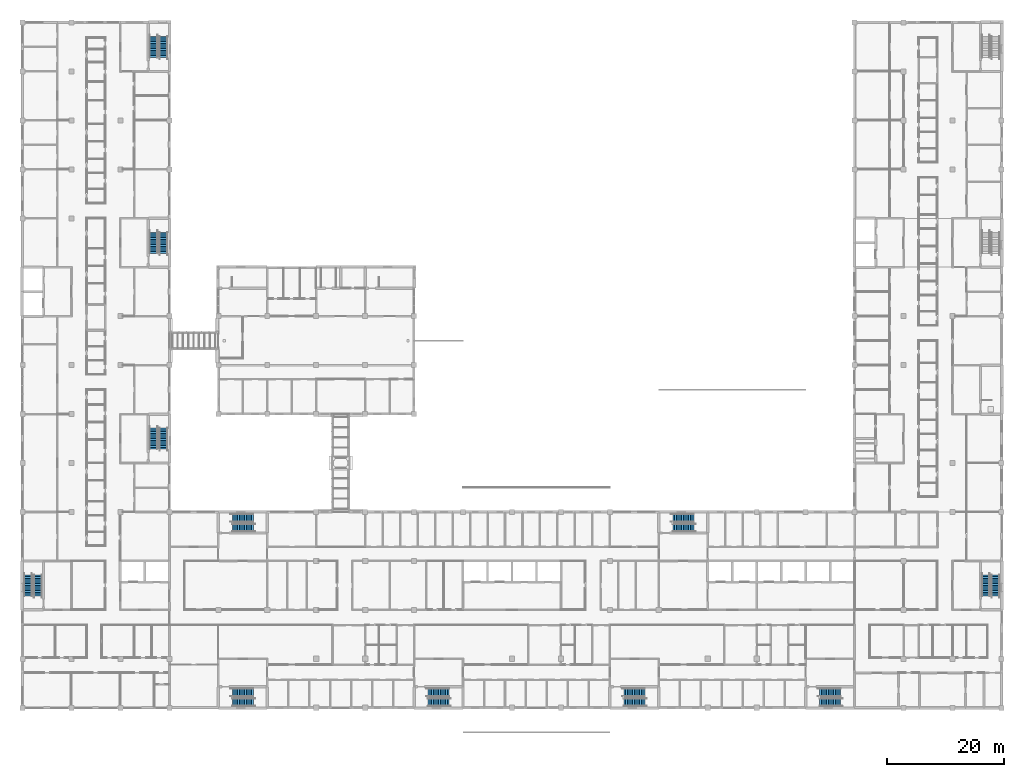
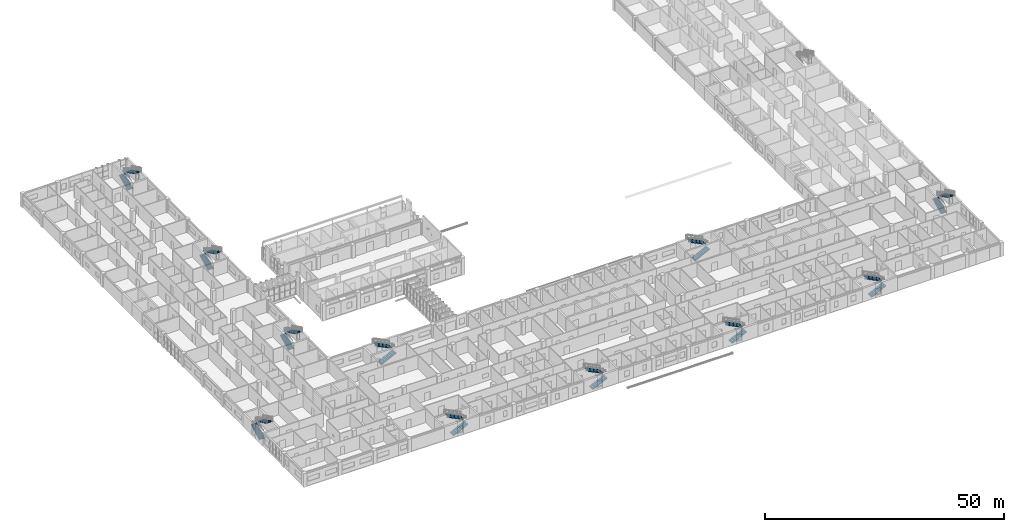
# One storey, part 79 of 94: 22 stair flights, 11 elements without a shape of their own.
"""IFC4 building model written with IfcOpenShell, lengths in metres."""

import ifcopenshell
import ifcopenshell.guid

model = None  # the IFC model being written
_history = None  # IfcOwnerHistory: only IFC2X3 demands one
_inside = {}  # id of a spatial element -> (the spatial element, [elements in it])
_under = {}  # id of a project, library or spatial element -> (it, [spatial elements below it])
_declared = {}  # id of a project -> (the project, [libraries it declares])
_typed = {}  # id of a type object -> (the type object, [elements of that type])
_made_of = {}  # id of a material, layer set ... -> (it, [elements and type objects made of it])


def new_model(schema):
    """Start an empty IFC model of exactly this schema.

    Asked for "IFC4X3", IfcOpenShell would pick the latest addendum, in which some entities
    have other attributes; the version numbers below select the first issue.
    IFC2X3 requires an IfcOwnerHistory on every rooted entity: one is made here for all.
    """
    global model, _history
    if schema == "IFC4X3":
        model = ifcopenshell.file(schema_version=(4, 3, 0, 0))
    else:
        model = ifcopenshell.file(schema=schema)
    _inside.clear()
    _under.clear()
    _declared.clear()
    _typed.clear()
    _made_of.clear()
    _history = None
    if model.schema == "IFC2X3":
        org = make("IfcOrganization", Name="unknown")
        user = make(
            "IfcPersonAndOrganization",
            ThePerson=make("IfcPerson", FamilyName="unknown"),
            TheOrganization=org,
        )
        app = make(
            "IfcApplication",
            ApplicationDeveloper=org,
            Version="unknown",
            ApplicationFullName="unknown",
            ApplicationIdentifier="unknown",
        )
        _history = make(
            "IfcOwnerHistory",
            OwningUser=user,
            OwningApplication=app,
            ChangeAction="ADDED",
            CreationDate=0,
        )
    return model


def make(cls, **values):
    """One entity of the class cls with the attributes given. An attribute that is None is left unset."""
    return model.create_entity(
        cls, **{name: value for name, value in values.items() if value is not None}
    )


def rooted(cls, **values):
    """An entity with a GlobalId (a new one), such as an element, a storey or a relation."""
    return make(cls, GlobalId=ifcopenshell.guid.new(), OwnerHistory=_history, **values)


def si_unit(unit_type, name, prefix=None):
    """IfcSIUnit, for example si_unit("LENGTHUNIT", "METRE", prefix="MILLI")."""
    return make("IfcSIUnit", UnitType=unit_type, Prefix=prefix, Name=name)


def assignment(units):
    """IfcUnitAssignment: the units of a project."""
    return None if units is None else make("IfcUnitAssignment", Units=units)


def point(xyz):
    """IfcCartesianPoint."""
    return None if xyz is None else make("IfcCartesianPoint", Coordinates=xyz)


def direction(xyz):
    """IfcDirection."""
    return None if xyz is None else make("IfcDirection", DirectionRatios=xyz)


def frame(location, z_axis=None, x_axis=None):
    """IfcAxis2Placement3D, a coordinate frame: its origin and axes. An axis left out is left unset."""
    return make(
        "IfcAxis2Placement3D",
        Location=point(location),
        Axis=direction(z_axis),
        RefDirection=direction(x_axis),
    )


def origin():
    """The frame at (0, 0, 0) with its axes left unset."""
    return frame((0.0, 0.0, 0.0))


def place(relative_to, where):
    """IfcLocalPlacement: puts the frame where relative to a parent placement (None: the world)."""
    return make(
        "IfcLocalPlacement", PlacementRelTo=relative_to, RelativePlacement=where
    )


def context(
    kind, dimensions, precision=None, world=None, true_north=None, identifier=None
):
    """IfcGeometricRepresentationContext, for example the 3D "Model" context."""
    return make(
        "IfcGeometricRepresentationContext",
        ContextIdentifier=identifier,
        ContextType=kind,
        CoordinateSpaceDimension=dimensions,
        Precision=precision,
        WorldCoordinateSystem=world,
        TrueNorth=true_north,
    )


def subcontext(parent, identifier, kind, view, scale=None):
    """IfcGeometricRepresentationSubContext, for example "Body" below "Model"."""
    return make(
        "IfcGeometricRepresentationSubContext",
        ContextIdentifier=identifier,
        ContextType=kind,
        ParentContext=parent,
        TargetScale=scale,
        TargetView=view,
    )


def project(units=None, contexts=None):
    """IfcProject with its units and contexts."""
    return rooted(
        "IfcProject",
        Name="project",
        RepresentationContexts=contexts,
        UnitsInContext=assignment(units),
    )


def spatial(cls, under=None, at=None, **own):
    """A site, building, storey or space (cls), placed at a placement, below another one or the project."""
    s = rooted(cls, ObjectPlacement=at, **own)
    if under is not None:
        _under.setdefault(under.id(), (under, []))[1].append(s)
    return s


def polyline(points):
    """IfcPolyline through the points."""
    return make("IfcPolyline", Points=[point(p) for p in points])


def outline(outer, holes=None, kind="AREA"):
    """IfcArbitraryClosedProfileDef: a profile drawn as a closed curve; with holes, ...WithVoids."""
    if holes is None:
        return make("IfcArbitraryClosedProfileDef", ProfileType=kind, OuterCurve=outer)
    return make(
        "IfcArbitraryProfileDefWithVoids",
        ProfileType=kind,
        OuterCurve=outer,
        InnerCurves=holes,
    )


def extrude(swept, where, along, depth):
    """IfcExtrudedAreaSolid: the profile swept, set in the frame where, extruded along a direction by depth."""
    return make(
        "IfcExtrudedAreaSolid",
        SweptArea=swept,
        Position=where,
        ExtrudedDirection=direction(along),
        Depth=depth,
    )


def shape(context_of_items, identifier, shape_type, items):
    """IfcShapeRepresentation: the items that make up one representation, for example the "Body"."""
    return make(
        "IfcShapeRepresentation",
        ContextOfItems=context_of_items,
        RepresentationIdentifier=identifier,
        RepresentationType=shape_type,
        Items=items,
    )


def material(Name=None, Category=None):
    """IfcMaterial."""
    return make("IfcMaterial", Name=Name, Category=Category)


def made_of(thing, what):
    """Note that an element or type object is made of a material, layer set ...; save() writes the relation."""
    if what is not None:
        _made_of.setdefault(what.id(), (what, []))[1].append(thing)
    return thing


def type_object(cls, material=None, **own):
    """A type object (cls), such as IfcWallType, which elements share."""
    return made_of(rooted(cls, **own), material)


def element(
    cls,
    number,
    at=None,
    inside=None,
    cuts=None,
    type_object=None,
    material=None,
    context=None,
    identifier="Body",
    shape_type=None,
    held_by="IfcProductDefinitionShape",
    body=None,
    shapes=None,
    **own,
):
    """One element of the class cls, such as IfcWall. Its Tag is "e" and its number.

    at: its placement. inside: the storey or other place that contains it. cuts: it is an
    opening in that element (IfcRelVoidsElement). A single representation is given by context,
    identifier, shape_type and body (its items); several are given by shapes. held_by: the class
    of the entity that holds the representations. save() writes the other relations.
    """
    e = rooted(cls, Tag="e%d" % number, ObjectPlacement=at, **own)
    if body is not None:
        shapes = [shape(context, identifier, shape_type, body)]
    if shapes is not None:
        e.Representation = make(held_by, Representations=shapes)
    if inside is not None:
        _inside.setdefault(inside.id(), (inside, []))[1].append(e)
    if cuts is not None:
        rooted(
            "IfcRelVoidsElement", RelatingBuildingElement=cuts, RelatedOpeningElement=e
        )
    if type_object is not None:
        _typed.setdefault(type_object.id(), (type_object, []))[1].append(e)
    return made_of(e, material)


def aggregate(whole, parts):
    """IfcRelAggregates: a whole, such as a stair, and the parts it consists of."""
    return rooted("IfcRelAggregates", RelatingObject=whole, RelatedObjects=parts)


def save(model, path):
    """Write the relations noted so far, then the file.

    IfcRelAggregates (storeys below a building ...), IfcRelContainedInSpatialStructure (elements
    in a storey), IfcRelDefinesByType, IfcRelAssociatesMaterial and IfcRelDeclares: one each for
    every whole, place, type object, material and project.
    """
    for whole, parts in _under.values():
        aggregate(whole, parts)
    for where, things in _inside.values():
        rooted(
            "IfcRelContainedInSpatialStructure",
            RelatedElements=things,
            RelatingStructure=where,
        )
    for kind, things in _typed.values():
        rooted("IfcRelDefinesByType", RelatedObjects=things, RelatingType=kind)
    for what, things in _made_of.values():
        rooted("IfcRelAssociatesMaterial", RelatedObjects=things, RelatingMaterial=what)
    for by, libraries in _declared.values():
        rooted("IfcRelDeclares", RelatingContext=by, RelatedDefinitions=libraries)
    model.write(path)


model = new_model("IFC4")

# Units and contexts
model_context = context("Model", 3, precision=1e-05, world=origin(), true_north=direction((0.0, 1.0)))
body_context = subcontext(model_context, "Body", "Model", "MODEL_VIEW")
ifc_project = project(units=[si_unit("LENGTHUNIT", "METRE"), si_unit("AREAUNIT", "SQUARE_METRE"), si_unit("VOLUMEUNIT", "CUBIC_METRE"), si_unit("PLANEANGLEUNIT", "RADIAN"), si_unit("MASSUNIT", "GRAM", prefix="KILO")], contexts=[model_context])

# Site, building, storey
site_placement = place(None, origin())
site = spatial("IfcSite", under=ifc_project, at=site_placement, CompositionType="ELEMENT")
building_placement = place(site_placement, origin())
building = spatial("IfcBuilding", under=site, at=building_placement, Name="Yavir Park General Hospital", CompositionType="ELEMENT")
storey_placement = place(building_placement, frame((0.0, 0.0, 4.5)))
storey = spatial("IfcBuildingStorey", under=building, at=storey_placement, Name="L01", CompositionType="ELEMENT", Elevation=4.5)

# Stair, stair flights
ifc_material_1 = material(Name="Concrete C30/37", Category="concrete")
stair_type = type_object("IfcStairType", Name="Patient escape stair, 26 risers of 150 mm, 1400 mm flights", PredefinedType="HALF_TURN_STAIR", material=ifc_material_1)
stair_1_placement = place(storey_placement, origin())
stair_1 = element("IfcStair", 1, at=stair_1_placement, inside=storey, type_object=stair_type, Name="Stair SU1, L01 to L02", PredefinedType="HALF_TURN_STAIR")
ifc_material_2 = material(Name="Concrete C30/37", Category="concrete")
stair_flight_type = type_object("IfcStairFlightType", Name="Patient escape stair flight, 13 risers, 1400 mm wide", PredefinedType="STRAIGHT", material=ifc_material_2)
stair_flight_1_placement = place(storey_placement, frame((0.949951171875, 19.199951171875, 0.0), z_axis=(0.0, 0.0, 1.0), x_axis=(0.0, 1.0, 0.0)))
stair_flight_1 = element("IfcStairFlight", 2, at=stair_flight_1_placement, type_object=stair_flight_type, Name="SU1 flight 1", NumberOfRisers=13, NumberOfTreads=12, PredefinedType="STRAIGHT", RiserHeight=0.15, TreadLength=0.3, context=body_context, shape_type="SweptSolid", body=[
    extrude(outline(polyline([(0.0, 0.0), (0.0, 0.14990234375), (0.300048828125, 0.14990234375), (0.300048828125, 0.300048828125), (0.60009765625, 0.300048828125), (0.60009765625, 0.449951171875), (0.89990234375, 0.449951171875), (0.89990234375, 0.60009765625), (1.199951171875, 0.60009765625), (1.199951171875, 0.75), (1.5, 0.75), (1.5, 0.89990234375), (1.800048828125, 0.89990234375), (1.800048828125, 1.050048828125), (2.10009765625, 1.050048828125), (2.10009765625, 1.199951171875), (2.39990234375, 1.199951171875), (2.39990234375, 1.35009765625), (2.699951171875, 1.35009765625), (2.699951171875, 1.5), (3.0, 1.5), (3.0, 1.64990234375), (3.300048828125, 1.64990234375), (3.300048828125, 1.800048828125), (3.60009765625, 1.800048828125), (3.60009765625, 1.949951171875), (3.60009765625, 1.62109375), (0.357666015625, 0.0), (0.0, 0.0)])), frame((0.0, 0.699951171875, 0.0), z_axis=(0.0, -1.0, 0.0), x_axis=(1.0, 0.0, 0.0)), (0.0, 0.0, 1.0), 1.39990234375),
])
stair_flight_2_placement = place(storey_placement, frame((2.64990234375, 22.800048828125, 1.949951171875), z_axis=(0.0, 0.0, 1.0), x_axis=(0.0, -1.0, 0.0)))
stair_flight_2 = element("IfcStairFlight", 3, at=stair_flight_2_placement, type_object=stair_flight_type, Name="SU1 flight 2", NumberOfRisers=13, NumberOfTreads=12, PredefinedType="STRAIGHT", RiserHeight=0.15, TreadLength=0.3, context=body_context, shape_type="SweptSolid", body=[
    extrude(outline(polyline([(0.0, 0.0), (0.0, 0.14990234375), (0.300048828125, 0.14990234375), (0.300048828125, 0.300048828125), (0.60009765625, 0.300048828125), (0.60009765625, 0.449951171875), (0.89990234375, 0.449951171875), (0.89990234375, 0.60009765625), (1.199951171875, 0.60009765625), (1.199951171875, 0.75), (1.5, 0.75), (1.5, 0.89990234375), (1.800048828125, 0.89990234375), (1.800048828125, 1.050048828125), (2.10009765625, 1.050048828125), (2.10009765625, 1.199951171875), (2.39990234375, 1.199951171875), (2.39990234375, 1.35009765625), (2.699951171875, 1.35009765625), (2.699951171875, 1.5), (3.0, 1.5), (3.0, 1.64990234375), (3.300048828125, 1.64990234375), (3.300048828125, 1.800048828125), (3.60009765625, 1.800048828125), (3.60009765625, 1.949951171875), (3.60009765625, 1.62109375), (0.357666015625, 0.0), (0.0, 0.0)])), frame((0.0, 0.699951171875, 0.0), z_axis=(0.0, -1.0, 0.0), x_axis=(1.0, 0.0, 0.0)), (0.0, 0.0, 1.0), 1.39990234375),
])
aggregate(stair_1, [stair_flight_1, stair_flight_2])

stair_2_placement = place(storey_placement, origin())
stair_2 = element("IfcStair", 4, at=stair_2_placement, inside=storey, type_object=stair_type, Name="Stair SU2, L01 to L02", PredefinedType="HALF_TURN_STAIR")
stair_flight_3_placement = place(storey_placement, frame((36.0, 0.949951171875, 0.0), z_axis=(0.0, 0.0, 1.0), x_axis=(1.0, 0.0, 0.0)))
stair_flight_3 = element("IfcStairFlight", 5, at=stair_flight_3_placement, type_object=stair_flight_type, Name="SU2 flight 1", NumberOfRisers=13, NumberOfTreads=12, PredefinedType="STRAIGHT", RiserHeight=0.15, TreadLength=0.3, context=body_context, shape_type="SweptSolid", body=[
    extrude(outline(polyline([(0.0, 0.0), (0.0, 0.14990234375), (0.300048828125, 0.14990234375), (0.300048828125, 0.300048828125), (0.60009765625, 0.300048828125), (0.60009765625, 0.449951171875), (0.89990234375, 0.449951171875), (0.89990234375, 0.60009765625), (1.199951171875, 0.60009765625), (1.199951171875, 0.75), (1.5, 0.75), (1.5, 0.89990234375), (1.800048828125, 0.89990234375), (1.800048828125, 1.050048828125), (2.10009765625, 1.050048828125), (2.10009765625, 1.199951171875), (2.39990234375, 1.199951171875), (2.39990234375, 1.35009765625), (2.699951171875, 1.35009765625), (2.699951171875, 1.5), (3.0, 1.5), (3.0, 1.64990234375), (3.300048828125, 1.64990234375), (3.300048828125, 1.800048828125), (3.60009765625, 1.800048828125), (3.60009765625, 1.949951171875), (3.60009765625, 1.62109375), (0.357666015625, 0.0), (0.0, 0.0)])), frame((0.0, 0.699951171875, 0.0), z_axis=(0.0, -1.0, 0.0), x_axis=(1.0, 0.0, 0.0)), (0.0, 0.0, 1.0), 1.39990234375),
])
stair_flight_4_placement = place(storey_placement, frame((39.60009765625, 2.64990234375, 1.949951171875), z_axis=(0.0, 0.0, 1.0), x_axis=(-1.0, 0.0, 0.0)))
stair_flight_4 = element("IfcStairFlight", 6, at=stair_flight_4_placement, type_object=stair_flight_type, Name="SU2 flight 2", NumberOfRisers=13, NumberOfTreads=12, PredefinedType="STRAIGHT", RiserHeight=0.15, TreadLength=0.3, context=body_context, shape_type="SweptSolid", body=[
    extrude(outline(polyline([(0.0, 0.0), (0.0, 0.14990234375), (0.300048828125, 0.14990234375), (0.300048828125, 0.300048828125), (0.60009765625, 0.300048828125), (0.60009765625, 0.449951171875), (0.89990234375, 0.449951171875), (0.89990234375, 0.60009765625), (1.199951171875, 0.60009765625), (1.199951171875, 0.75), (1.5, 0.75), (1.5, 0.89990234375), (1.800048828125, 0.89990234375), (1.800048828125, 1.050048828125), (2.10009765625, 1.050048828125), (2.10009765625, 1.199951171875), (2.39990234375, 1.199951171875), (2.39990234375, 1.35009765625), (2.699951171875, 1.35009765625), (2.699951171875, 1.5), (3.0, 1.5), (3.0, 1.64990234375), (3.300048828125, 1.64990234375), (3.300048828125, 1.800048828125), (3.60009765625, 1.800048828125), (3.60009765625, 1.949951171875), (3.60009765625, 1.62109375), (0.357666015625, 0.0), (0.0, 0.0)])), frame((0.0, 0.699951171875, 0.0), z_axis=(0.0, -1.0, 0.0), x_axis=(1.0, 0.0, 0.0)), (0.0, 0.0, 1.0), 1.39990234375),
])
aggregate(stair_2, [stair_flight_3, stair_flight_4])

stair_3_placement = place(storey_placement, origin())
stair_3 = element("IfcStair", 7, at=stair_3_placement, inside=storey, type_object=stair_type, Name="Stair SU3, L01 to L02", PredefinedType="HALF_TURN_STAIR")
stair_flight_5_placement = place(storey_placement, frame((69.60009765625, 0.949951171875, 0.0), z_axis=(0.0, 0.0, 1.0), x_axis=(1.0, 0.0, 0.0)))
stair_flight_5 = element("IfcStairFlight", 8, at=stair_flight_5_placement, type_object=stair_flight_type, Name="SU3 flight 1", NumberOfRisers=13, NumberOfTreads=12, PredefinedType="STRAIGHT", RiserHeight=0.15, TreadLength=0.3, context=body_context, shape_type="SweptSolid", body=[
    extrude(outline(polyline([(0.0, 0.0), (0.0, 0.14990234375), (0.300048828125, 0.14990234375), (0.300048828125, 0.300048828125), (0.60009765625, 0.300048828125), (0.60009765625, 0.449951171875), (0.89990234375, 0.449951171875), (0.89990234375, 0.60009765625), (1.199951171875, 0.60009765625), (1.199951171875, 0.75), (1.5, 0.75), (1.5, 0.89990234375), (1.800048828125, 0.89990234375), (1.800048828125, 1.050048828125), (2.10009765625, 1.050048828125), (2.10009765625, 1.199951171875), (2.39990234375, 1.199951171875), (2.39990234375, 1.35009765625), (2.699951171875, 1.35009765625), (2.699951171875, 1.5), (3.0, 1.5), (3.0, 1.64990234375), (3.300048828125, 1.64990234375), (3.300048828125, 1.800048828125), (3.60009765625, 1.800048828125), (3.60009765625, 1.949951171875), (3.60009765625, 1.62109375), (0.357666015625, 0.0), (0.0, 0.0)])), frame((0.0, 0.699951171875, 0.0), z_axis=(0.0, -1.0, 0.0), x_axis=(1.0, 0.0, 0.0)), (0.0, 0.0, 1.0), 1.39990234375),
])
stair_flight_6_placement = place(storey_placement, frame((73.199951171875, 2.64990234375, 1.949951171875), z_axis=(0.0, 0.0, 1.0), x_axis=(-1.0, 0.0, 0.0)))
stair_flight_6 = element("IfcStairFlight", 9, at=stair_flight_6_placement, type_object=stair_flight_type, Name="SU3 flight 2", NumberOfRisers=13, NumberOfTreads=12, PredefinedType="STRAIGHT", RiserHeight=0.15, TreadLength=0.3, context=body_context, shape_type="SweptSolid", body=[
    extrude(outline(polyline([(0.0, 0.0), (0.0, 0.14990234375), (0.300048828125, 0.14990234375), (0.300048828125, 0.300048828125), (0.60009765625, 0.300048828125), (0.60009765625, 0.449951171875), (0.89990234375, 0.449951171875), (0.89990234375, 0.60009765625), (1.199951171875, 0.60009765625), (1.199951171875, 0.75), (1.5, 0.75), (1.5, 0.89990234375), (1.800048828125, 0.89990234375), (1.800048828125, 1.050048828125), (2.10009765625, 1.050048828125), (2.10009765625, 1.199951171875), (2.39990234375, 1.199951171875), (2.39990234375, 1.35009765625), (2.699951171875, 1.35009765625), (2.699951171875, 1.5), (3.0, 1.5), (3.0, 1.64990234375), (3.300048828125, 1.64990234375), (3.300048828125, 1.800048828125), (3.60009765625, 1.800048828125), (3.60009765625, 1.949951171875), (3.60009765625, 1.62109375), (0.357666015625, 0.0), (0.0, 0.0)])), frame((0.0, 0.699951171875, 0.0), z_axis=(0.0, -1.0, 0.0), x_axis=(1.0, 0.0, 0.0)), (0.0, 0.0, 1.0), 1.39990234375),
])
aggregate(stair_3, [stair_flight_5, stair_flight_6])

stair_4_placement = place(storey_placement, origin())
stair_4 = element("IfcStair", 10, at=stair_4_placement, inside=storey, type_object=stair_type, Name="Stair SU4, L01 to L02", PredefinedType="HALF_TURN_STAIR")
stair_flight_7_placement = place(storey_placement, frame((103.199951171875, 0.949951171875, 0.0), z_axis=(0.0, 0.0, 1.0), x_axis=(1.0, 0.0, 0.0)))
stair_flight_7 = element("IfcStairFlight", 11, at=stair_flight_7_placement, type_object=stair_flight_type, Name="SU4 flight 1", NumberOfRisers=13, NumberOfTreads=12, PredefinedType="STRAIGHT", RiserHeight=0.15, TreadLength=0.3, context=body_context, shape_type="SweptSolid", body=[
    extrude(outline(polyline([(0.0, 0.0), (0.0, 0.14990234375), (0.300048828125, 0.14990234375), (0.300048828125, 0.300048828125), (0.60009765625, 0.300048828125), (0.60009765625, 0.449951171875), (0.89990234375, 0.449951171875), (0.89990234375, 0.60009765625), (1.199951171875, 0.60009765625), (1.199951171875, 0.75), (1.5, 0.75), (1.5, 0.89990234375), (1.800048828125, 0.89990234375), (1.800048828125, 1.050048828125), (2.10009765625, 1.050048828125), (2.10009765625, 1.199951171875), (2.39990234375, 1.199951171875), (2.39990234375, 1.35009765625), (2.699951171875, 1.35009765625), (2.699951171875, 1.5), (3.0, 1.5), (3.0, 1.64990234375), (3.300048828125, 1.64990234375), (3.300048828125, 1.800048828125), (3.60009765625, 1.800048828125), (3.60009765625, 1.949951171875), (3.60009765625, 1.62109375), (0.357666015625, 0.0), (0.0, 0.0)])), frame((0.0, 0.699951171875, 0.0), z_axis=(0.0, -1.0, 0.0), x_axis=(1.0, 0.0, 0.0)), (0.0, 0.0, 1.0), 1.39990234375),
])
stair_flight_8_placement = place(storey_placement, frame((106.800048828125, 2.64990234375, 1.949951171875), z_axis=(0.0, 0.0, 1.0), x_axis=(-1.0, 0.0, 0.0)))
stair_flight_8 = element("IfcStairFlight", 12, at=stair_flight_8_placement, type_object=stair_flight_type, Name="SU4 flight 2", NumberOfRisers=13, NumberOfTreads=12, PredefinedType="STRAIGHT", RiserHeight=0.15, TreadLength=0.3, context=body_context, shape_type="SweptSolid", body=[
    extrude(outline(polyline([(0.0, 0.0), (0.0, 0.14990234375), (0.300048828125, 0.14990234375), (0.300048828125, 0.300048828125), (0.60009765625, 0.300048828125), (0.60009765625, 0.449951171875), (0.89990234375, 0.449951171875), (0.89990234375, 0.60009765625), (1.199951171875, 0.60009765625), (1.199951171875, 0.75), (1.5, 0.75), (1.5, 0.89990234375), (1.800048828125, 0.89990234375), (1.800048828125, 1.050048828125), (2.10009765625, 1.050048828125), (2.10009765625, 1.199951171875), (2.39990234375, 1.199951171875), (2.39990234375, 1.35009765625), (2.699951171875, 1.35009765625), (2.699951171875, 1.5), (3.0, 1.5), (3.0, 1.64990234375), (3.300048828125, 1.64990234375), (3.300048828125, 1.800048828125), (3.60009765625, 1.800048828125), (3.60009765625, 1.949951171875), (3.60009765625, 1.62109375), (0.357666015625, 0.0), (0.0, 0.0)])), frame((0.0, 0.699951171875, 0.0), z_axis=(0.0, -1.0, 0.0), x_axis=(1.0, 0.0, 0.0)), (0.0, 0.0, 1.0), 1.39990234375),
])
aggregate(stair_4, [stair_flight_7, stair_flight_8])

stair_5_placement = place(storey_placement, origin())
stair_5 = element("IfcStair", 13, at=stair_5_placement, inside=storey, type_object=stair_type, Name="Stair SU5, L01 to L02", PredefinedType="HALF_TURN_STAIR")
stair_flight_9_placement = place(storey_placement, frame((136.800048828125, 0.949951171875, 0.0), z_axis=(0.0, 0.0, 1.0), x_axis=(1.0, 0.0, 0.0)))
stair_flight_9 = element("IfcStairFlight", 14, at=stair_flight_9_placement, type_object=stair_flight_type, Name="SU5 flight 1", NumberOfRisers=13, NumberOfTreads=12, PredefinedType="STRAIGHT", RiserHeight=0.15, TreadLength=0.3, context=body_context, shape_type="SweptSolid", body=[
    extrude(outline(polyline([(0.0, 0.0), (0.0, 0.14990234375), (0.300048828125, 0.14990234375), (0.300048828125, 0.300048828125), (0.60009765625, 0.300048828125), (0.60009765625, 0.449951171875), (0.89990234375, 0.449951171875), (0.89990234375, 0.60009765625), (1.199951171875, 0.60009765625), (1.199951171875, 0.75), (1.5, 0.75), (1.5, 0.89990234375), (1.800048828125, 0.89990234375), (1.800048828125, 1.050048828125), (2.10009765625, 1.050048828125), (2.10009765625, 1.199951171875), (2.39990234375, 1.199951171875), (2.39990234375, 1.35009765625), (2.699951171875, 1.35009765625), (2.699951171875, 1.5), (3.0, 1.5), (3.0, 1.64990234375), (3.300048828125, 1.64990234375), (3.300048828125, 1.800048828125), (3.60009765625, 1.800048828125), (3.60009765625, 1.949951171875), (3.60009765625, 1.62109375), (0.357666015625, 0.0), (0.0, 0.0)])), frame((0.0, 0.699951171875, 0.0), z_axis=(0.0, -1.0, 0.0), x_axis=(1.0, 0.0, 0.0)), (0.0, 0.0, 1.0), 1.39990234375),
])
stair_flight_10_placement = place(storey_placement, frame((140.39990234375, 2.64990234375, 1.949951171875), z_axis=(0.0, 0.0, 1.0), x_axis=(-1.0, 0.0, 0.0)))
stair_flight_10 = element("IfcStairFlight", 15, at=stair_flight_10_placement, type_object=stair_flight_type, Name="SU5 flight 2", NumberOfRisers=13, NumberOfTreads=12, PredefinedType="STRAIGHT", RiserHeight=0.15, TreadLength=0.3, context=body_context, shape_type="SweptSolid", body=[
    extrude(outline(polyline([(0.0, 0.0), (0.0, 0.14990234375), (0.300048828125, 0.14990234375), (0.300048828125, 0.300048828125), (0.60009765625, 0.300048828125), (0.60009765625, 0.449951171875), (0.89990234375, 0.449951171875), (0.89990234375, 0.60009765625), (1.199951171875, 0.60009765625), (1.199951171875, 0.75), (1.5, 0.75), (1.5, 0.89990234375), (1.800048828125, 0.89990234375), (1.800048828125, 1.050048828125), (2.10009765625, 1.050048828125), (2.10009765625, 1.199951171875), (2.39990234375, 1.199951171875), (2.39990234375, 1.35009765625), (2.699951171875, 1.35009765625), (2.699951171875, 1.5), (3.0, 1.5), (3.0, 1.64990234375), (3.300048828125, 1.64990234375), (3.300048828125, 1.800048828125), (3.60009765625, 1.800048828125), (3.60009765625, 1.949951171875), (3.60009765625, 1.62109375), (0.357666015625, 0.0), (0.0, 0.0)])), frame((0.0, 0.699951171875, 0.0), z_axis=(0.0, -1.0, 0.0), x_axis=(1.0, 0.0, 0.0)), (0.0, 0.0, 1.0), 1.39990234375),
])
aggregate(stair_5, [stair_flight_9, stair_flight_10])

stair_6_placement = place(storey_placement, origin())
stair_6 = element("IfcStair", 16, at=stair_6_placement, inside=storey, type_object=stair_type, Name="Stair SU6, L01 to L02", PredefinedType="HALF_TURN_STAIR")
stair_flight_11_placement = place(storey_placement, frame((165.300048828125, 19.199951171875, 0.0), z_axis=(0.0, 0.0, 1.0), x_axis=(0.0, 1.0, 0.0)))
stair_flight_11 = element("IfcStairFlight", 17, at=stair_flight_11_placement, type_object=stair_flight_type, Name="SU6 flight 1", NumberOfRisers=13, NumberOfTreads=12, PredefinedType="STRAIGHT", RiserHeight=0.15, TreadLength=0.3, context=body_context, shape_type="SweptSolid", body=[
    extrude(outline(polyline([(0.0, 0.0), (0.0, 0.14990234375), (0.300048828125, 0.14990234375), (0.300048828125, 0.300048828125), (0.60009765625, 0.300048828125), (0.60009765625, 0.449951171875), (0.89990234375, 0.449951171875), (0.89990234375, 0.60009765625), (1.199951171875, 0.60009765625), (1.199951171875, 0.75), (1.5, 0.75), (1.5, 0.89990234375), (1.800048828125, 0.89990234375), (1.800048828125, 1.050048828125), (2.10009765625, 1.050048828125), (2.10009765625, 1.199951171875), (2.39990234375, 1.199951171875), (2.39990234375, 1.35009765625), (2.699951171875, 1.35009765625), (2.699951171875, 1.5), (3.0, 1.5), (3.0, 1.64990234375), (3.300048828125, 1.64990234375), (3.300048828125, 1.800048828125), (3.60009765625, 1.800048828125), (3.60009765625, 1.949951171875), (3.60009765625, 1.62109375), (0.357666015625, 0.0), (0.0, 0.0)])), frame((0.0, 0.699951171875, 0.0), z_axis=(0.0, -1.0, 0.0), x_axis=(1.0, 0.0, 0.0)), (0.0, 0.0, 1.0), 1.39990234375),
])
stair_flight_12_placement = place(storey_placement, frame((167.0, 22.800048828125, 1.949951171875), z_axis=(0.0, 0.0, 1.0), x_axis=(0.0, -1.0, 0.0)))
stair_flight_12 = element("IfcStairFlight", 18, at=stair_flight_12_placement, type_object=stair_flight_type, Name="SU6 flight 2", NumberOfRisers=13, NumberOfTreads=12, PredefinedType="STRAIGHT", RiserHeight=0.15, TreadLength=0.3, context=body_context, shape_type="SweptSolid", body=[
    extrude(outline(polyline([(0.0, 0.0), (0.0, 0.14990234375), (0.300048828125, 0.14990234375), (0.300048828125, 0.300048828125), (0.60009765625, 0.300048828125), (0.60009765625, 0.449951171875), (0.89990234375, 0.449951171875), (0.89990234375, 0.60009765625), (1.199951171875, 0.60009765625), (1.199951171875, 0.75), (1.5, 0.75), (1.5, 0.89990234375), (1.800048828125, 0.89990234375), (1.800048828125, 1.050048828125), (2.10009765625, 1.050048828125), (2.10009765625, 1.199951171875), (2.39990234375, 1.199951171875), (2.39990234375, 1.35009765625), (2.699951171875, 1.35009765625), (2.699951171875, 1.5), (3.0, 1.5), (3.0, 1.64990234375), (3.300048828125, 1.64990234375), (3.300048828125, 1.800048828125), (3.60009765625, 1.800048828125), (3.60009765625, 1.949951171875), (3.60009765625, 1.62109375), (0.357666015625, 0.0), (0.0, 0.0)])), frame((0.0, 0.699951171875, 0.0), z_axis=(0.0, -1.0, 0.0), x_axis=(1.0, 0.0, 0.0)), (0.0, 0.0, 1.0), 1.39990234375),
])
aggregate(stair_6, [stair_flight_11, stair_flight_12])

stair_7_placement = place(storey_placement, origin())
stair_7 = element("IfcStair", 19, at=stair_7_placement, inside=storey, type_object=stair_type, Name="Stair PN1, L01 to L02", PredefinedType="HALF_TURN_STAIR")
stair_flight_13_placement = place(storey_placement, frame((36.0, 30.89990234375, 0.0), z_axis=(0.0, 0.0, 1.0), x_axis=(1.0, 0.0, 0.0)))
stair_flight_13 = element("IfcStairFlight", 20, at=stair_flight_13_placement, type_object=stair_flight_type, Name="PN1 flight 1", NumberOfRisers=13, NumberOfTreads=12, PredefinedType="STRAIGHT", RiserHeight=0.15, TreadLength=0.3, context=body_context, shape_type="SweptSolid", body=[
    extrude(outline(polyline([(0.0, 0.0), (0.0, 0.14990234375), (0.300048828125, 0.14990234375), (0.300048828125, 0.300048828125), (0.60009765625, 0.300048828125), (0.60009765625, 0.449951171875), (0.89990234375, 0.449951171875), (0.89990234375, 0.60009765625), (1.199951171875, 0.60009765625), (1.199951171875, 0.75), (1.5, 0.75), (1.5, 0.89990234375), (1.800048828125, 0.89990234375), (1.800048828125, 1.050048828125), (2.10009765625, 1.050048828125), (2.10009765625, 1.199951171875), (2.39990234375, 1.199951171875), (2.39990234375, 1.35009765625), (2.699951171875, 1.35009765625), (2.699951171875, 1.5), (3.0, 1.5), (3.0, 1.64990234375), (3.300048828125, 1.64990234375), (3.300048828125, 1.800048828125), (3.60009765625, 1.800048828125), (3.60009765625, 1.949951171875), (3.60009765625, 1.62109375), (0.357666015625, 0.0), (0.0, 0.0)])), frame((0.0, 0.699951171875, 0.0), z_axis=(0.0, -1.0, 0.0), x_axis=(1.0, 0.0, 0.0)), (0.0, 0.0, 1.0), 1.39990234375),
])
stair_flight_14_placement = place(storey_placement, frame((39.60009765625, 32.60009765625, 1.949951171875), z_axis=(0.0, 0.0, 1.0), x_axis=(-1.0, 0.0, 0.0)))
stair_flight_14 = element("IfcStairFlight", 21, at=stair_flight_14_placement, type_object=stair_flight_type, Name="PN1 flight 2", NumberOfRisers=13, NumberOfTreads=12, PredefinedType="STRAIGHT", RiserHeight=0.15, TreadLength=0.3, context=body_context, shape_type="SweptSolid", body=[
    extrude(outline(polyline([(0.0, 0.0), (0.0, 0.14990234375), (0.300048828125, 0.14990234375), (0.300048828125, 0.300048828125), (0.60009765625, 0.300048828125), (0.60009765625, 0.449951171875), (0.89990234375, 0.449951171875), (0.89990234375, 0.60009765625), (1.199951171875, 0.60009765625), (1.199951171875, 0.75), (1.5, 0.75), (1.5, 0.89990234375), (1.800048828125, 0.89990234375), (1.800048828125, 1.050048828125), (2.10009765625, 1.050048828125), (2.10009765625, 1.199951171875), (2.39990234375, 1.199951171875), (2.39990234375, 1.35009765625), (2.699951171875, 1.35009765625), (2.699951171875, 1.5), (3.0, 1.5), (3.0, 1.64990234375), (3.300048828125, 1.64990234375), (3.300048828125, 1.800048828125), (3.60009765625, 1.800048828125), (3.60009765625, 1.949951171875), (3.60009765625, 1.62109375), (0.357666015625, 0.0), (0.0, 0.0)])), frame((0.0, 0.699951171875, 0.0), z_axis=(0.0, -1.0, 0.0), x_axis=(1.0, 0.0, 0.0)), (0.0, 0.0, 1.0), 1.39990234375),
])
aggregate(stair_7, [stair_flight_13, stair_flight_14])

stair_8_placement = place(storey_placement, origin())
stair_8 = element("IfcStair", 22, at=stair_8_placement, inside=storey, type_object=stair_type, Name="Stair PN2, L01 to L02", PredefinedType="HALF_TURN_STAIR")
stair_flight_15_placement = place(storey_placement, frame((111.60009765625, 30.89990234375, 0.0), z_axis=(0.0, 0.0, 1.0), x_axis=(1.0, 0.0, 0.0)))
stair_flight_15 = element("IfcStairFlight", 23, at=stair_flight_15_placement, type_object=stair_flight_type, Name="PN2 flight 1", NumberOfRisers=13, NumberOfTreads=12, PredefinedType="STRAIGHT", RiserHeight=0.15, TreadLength=0.3, context=body_context, shape_type="SweptSolid", body=[
    extrude(outline(polyline([(0.0, 0.0), (0.0, 0.14990234375), (0.300048828125, 0.14990234375), (0.300048828125, 0.300048828125), (0.60009765625, 0.300048828125), (0.60009765625, 0.449951171875), (0.89990234375, 0.449951171875), (0.89990234375, 0.60009765625), (1.199951171875, 0.60009765625), (1.199951171875, 0.75), (1.5, 0.75), (1.5, 0.89990234375), (1.800048828125, 0.89990234375), (1.800048828125, 1.050048828125), (2.10009765625, 1.050048828125), (2.10009765625, 1.199951171875), (2.39990234375, 1.199951171875), (2.39990234375, 1.35009765625), (2.699951171875, 1.35009765625), (2.699951171875, 1.5), (3.0, 1.5), (3.0, 1.64990234375), (3.300048828125, 1.64990234375), (3.300048828125, 1.800048828125), (3.60009765625, 1.800048828125), (3.60009765625, 1.949951171875), (3.60009765625, 1.62109375), (0.357666015625, 0.0), (0.0, 0.0)])), frame((0.0, 0.699951171875, 0.0), z_axis=(0.0, -1.0, 0.0), x_axis=(1.0, 0.0, 0.0)), (0.0, 0.0, 1.0), 1.39990234375),
])
stair_flight_16_placement = place(storey_placement, frame((115.199951171875, 32.60009765625, 1.949951171875), z_axis=(0.0, 0.0, 1.0), x_axis=(-1.0, 0.0, 0.0)))
stair_flight_16 = element("IfcStairFlight", 24, at=stair_flight_16_placement, type_object=stair_flight_type, Name="PN2 flight 2", NumberOfRisers=13, NumberOfTreads=12, PredefinedType="STRAIGHT", RiserHeight=0.15, TreadLength=0.3, context=body_context, shape_type="SweptSolid", body=[
    extrude(outline(polyline([(0.0, 0.0), (0.0, 0.14990234375), (0.300048828125, 0.14990234375), (0.300048828125, 0.300048828125), (0.60009765625, 0.300048828125), (0.60009765625, 0.449951171875), (0.89990234375, 0.449951171875), (0.89990234375, 0.60009765625), (1.199951171875, 0.60009765625), (1.199951171875, 0.75), (1.5, 0.75), (1.5, 0.89990234375), (1.800048828125, 0.89990234375), (1.800048828125, 1.050048828125), (2.10009765625, 1.050048828125), (2.10009765625, 1.199951171875), (2.39990234375, 1.199951171875), (2.39990234375, 1.35009765625), (2.699951171875, 1.35009765625), (2.699951171875, 1.5), (3.0, 1.5), (3.0, 1.64990234375), (3.300048828125, 1.64990234375), (3.300048828125, 1.800048828125), (3.60009765625, 1.800048828125), (3.60009765625, 1.949951171875), (3.60009765625, 1.62109375), (0.357666015625, 0.0), (0.0, 0.0)])), frame((0.0, 0.699951171875, 0.0), z_axis=(0.0, -1.0, 0.0), x_axis=(1.0, 0.0, 0.0)), (0.0, 0.0, 1.0), 1.39990234375),
])
aggregate(stair_8, [stair_flight_15, stair_flight_16])

stair_9_placement = place(storey_placement, origin())
stair_9 = element("IfcStair", 25, at=stair_9_placement, inside=storey, type_object=stair_type, Name="Stair SW1, L01 to L02", PredefinedType="HALF_TURN_STAIR")
stair_flight_17_placement = place(storey_placement, frame((22.5, 44.39990234375, 0.0), z_axis=(0.0, 0.0, 1.0), x_axis=(0.0, 1.0, 0.0)))
stair_flight_17 = element("IfcStairFlight", 26, at=stair_flight_17_placement, type_object=stair_flight_type, Name="SW1 flight 1", NumberOfRisers=13, NumberOfTreads=12, PredefinedType="STRAIGHT", RiserHeight=0.15, TreadLength=0.3, context=body_context, shape_type="SweptSolid", body=[
    extrude(outline(polyline([(0.0, 0.0), (0.0, 0.14990234375), (0.300048828125, 0.14990234375), (0.300048828125, 0.300048828125), (0.60009765625, 0.300048828125), (0.60009765625, 0.449951171875), (0.89990234375, 0.449951171875), (0.89990234375, 0.60009765625), (1.199951171875, 0.60009765625), (1.199951171875, 0.75), (1.5, 0.75), (1.5, 0.89990234375), (1.800048828125, 0.89990234375), (1.800048828125, 1.050048828125), (2.10009765625, 1.050048828125), (2.10009765625, 1.199951171875), (2.39990234375, 1.199951171875), (2.39990234375, 1.35009765625), (2.699951171875, 1.35009765625), (2.699951171875, 1.5), (3.0, 1.5), (3.0, 1.64990234375), (3.300048828125, 1.64990234375), (3.300048828125, 1.800048828125), (3.60009765625, 1.800048828125), (3.60009765625, 1.949951171875), (3.60009765625, 1.62109375), (0.357666015625, 0.0), (0.0, 0.0)])), frame((0.0, 0.699951171875, 0.0), z_axis=(0.0, -1.0, 0.0), x_axis=(1.0, 0.0, 0.0)), (0.0, 0.0, 1.0), 1.39990234375),
])
stair_flight_18_placement = place(storey_placement, frame((24.199951171875, 48.0, 1.949951171875), z_axis=(0.0, 0.0, 1.0), x_axis=(0.0, -1.0, 0.0)))
stair_flight_18 = element("IfcStairFlight", 27, at=stair_flight_18_placement, type_object=stair_flight_type, Name="SW1 flight 2", NumberOfRisers=13, NumberOfTreads=12, PredefinedType="STRAIGHT", RiserHeight=0.15, TreadLength=0.3, context=body_context, shape_type="SweptSolid", body=[
    extrude(outline(polyline([(0.0, 0.0), (0.0, 0.14990234375), (0.300048828125, 0.14990234375), (0.300048828125, 0.300048828125), (0.60009765625, 0.300048828125), (0.60009765625, 0.449951171875), (0.89990234375, 0.449951171875), (0.89990234375, 0.60009765625), (1.199951171875, 0.60009765625), (1.199951171875, 0.75), (1.5, 0.75), (1.5, 0.89990234375), (1.800048828125, 0.89990234375), (1.800048828125, 1.050048828125), (2.10009765625, 1.050048828125), (2.10009765625, 1.199951171875), (2.39990234375, 1.199951171875), (2.39990234375, 1.35009765625), (2.699951171875, 1.35009765625), (2.699951171875, 1.5), (3.0, 1.5), (3.0, 1.64990234375), (3.300048828125, 1.64990234375), (3.300048828125, 1.800048828125), (3.60009765625, 1.800048828125), (3.60009765625, 1.949951171875), (3.60009765625, 1.62109375), (0.357666015625, 0.0), (0.0, 0.0)])), frame((0.0, 0.699951171875, 0.0), z_axis=(0.0, -1.0, 0.0), x_axis=(1.0, 0.0, 0.0)), (0.0, 0.0, 1.0), 1.39990234375),
])
aggregate(stair_9, [stair_flight_17, stair_flight_18])

stair_10_placement = place(storey_placement, origin())
stair_10 = element("IfcStair", 28, at=stair_10_placement, inside=storey, type_object=stair_type, Name="Stair SW2, L01 to L02", PredefinedType="HALF_TURN_STAIR")
stair_flight_19_placement = place(storey_placement, frame((22.5, 78.0, 0.0), z_axis=(0.0, 0.0, 1.0), x_axis=(0.0, 1.0, 0.0)))
stair_flight_19 = element("IfcStairFlight", 29, at=stair_flight_19_placement, type_object=stair_flight_type, Name="SW2 flight 1", NumberOfRisers=13, NumberOfTreads=12, PredefinedType="STRAIGHT", RiserHeight=0.15, TreadLength=0.3, context=body_context, shape_type="SweptSolid", body=[
    extrude(outline(polyline([(0.0, 0.0), (0.0, 0.14990234375), (0.300048828125, 0.14990234375), (0.300048828125, 0.300048828125), (0.60009765625, 0.300048828125), (0.60009765625, 0.449951171875), (0.89990234375, 0.449951171875), (0.89990234375, 0.60009765625), (1.199951171875, 0.60009765625), (1.199951171875, 0.75), (1.5, 0.75), (1.5, 0.89990234375), (1.800048828125, 0.89990234375), (1.800048828125, 1.050048828125), (2.10009765625, 1.050048828125), (2.10009765625, 1.199951171875), (2.39990234375, 1.199951171875), (2.39990234375, 1.35009765625), (2.699951171875, 1.35009765625), (2.699951171875, 1.5), (3.0, 1.5), (3.0, 1.64990234375), (3.300048828125, 1.64990234375), (3.300048828125, 1.800048828125), (3.60009765625, 1.800048828125), (3.60009765625, 1.949951171875), (3.60009765625, 1.62109375), (0.357666015625, 0.0), (0.0, 0.0)])), frame((0.0, 0.699951171875, 0.0), z_axis=(0.0, -1.0, 0.0), x_axis=(1.0, 0.0, 0.0)), (0.0, 0.0, 1.0), 1.39990234375),
])
stair_flight_20_placement = place(storey_placement, frame((24.199951171875, 81.60009765625, 1.949951171875), z_axis=(0.0, 0.0, 1.0), x_axis=(0.0, -1.0, 0.0)))
stair_flight_20 = element("IfcStairFlight", 30, at=stair_flight_20_placement, type_object=stair_flight_type, Name="SW2 flight 2", NumberOfRisers=13, NumberOfTreads=12, PredefinedType="STRAIGHT", RiserHeight=0.15, TreadLength=0.3, context=body_context, shape_type="SweptSolid", body=[
    extrude(outline(polyline([(0.0, 0.0), (0.0, 0.14990234375), (0.300048828125, 0.14990234375), (0.300048828125, 0.300048828125), (0.60009765625, 0.300048828125), (0.60009765625, 0.449951171875), (0.89990234375, 0.449951171875), (0.89990234375, 0.60009765625), (1.199951171875, 0.60009765625), (1.199951171875, 0.75), (1.5, 0.75), (1.5, 0.89990234375), (1.800048828125, 0.89990234375), (1.800048828125, 1.050048828125), (2.10009765625, 1.050048828125), (2.10009765625, 1.199951171875), (2.39990234375, 1.199951171875), (2.39990234375, 1.35009765625), (2.699951171875, 1.35009765625), (2.699951171875, 1.5), (3.0, 1.5), (3.0, 1.64990234375), (3.300048828125, 1.64990234375), (3.300048828125, 1.800048828125), (3.60009765625, 1.800048828125), (3.60009765625, 1.949951171875), (3.60009765625, 1.62109375), (0.357666015625, 0.0), (0.0, 0.0)])), frame((0.0, 0.699951171875, 0.0), z_axis=(0.0, -1.0, 0.0), x_axis=(1.0, 0.0, 0.0)), (0.0, 0.0, 1.0), 1.39990234375),
])
aggregate(stair_10, [stair_flight_19, stair_flight_20])

stair_11_placement = place(storey_placement, origin())
stair_11 = element("IfcStair", 31, at=stair_11_placement, inside=storey, type_object=stair_type, Name="Stair SW3, L01 to L02", PredefinedType="HALF_TURN_STAIR")
stair_flight_21_placement = place(storey_placement, frame((22.5, 111.60009765625, 0.0), z_axis=(0.0, 0.0, 1.0), x_axis=(0.0, 1.0, 0.0)))
stair_flight_21 = element("IfcStairFlight", 32, at=stair_flight_21_placement, type_object=stair_flight_type, Name="SW3 flight 1", NumberOfRisers=13, NumberOfTreads=12, PredefinedType="STRAIGHT", RiserHeight=0.15, TreadLength=0.3, context=body_context, shape_type="SweptSolid", body=[
    extrude(outline(polyline([(0.0, 0.0), (0.0, 0.14990234375), (0.300048828125, 0.14990234375), (0.300048828125, 0.300048828125), (0.60009765625, 0.300048828125), (0.60009765625, 0.449951171875), (0.89990234375, 0.449951171875), (0.89990234375, 0.60009765625), (1.199951171875, 0.60009765625), (1.199951171875, 0.75), (1.5, 0.75), (1.5, 0.89990234375), (1.800048828125, 0.89990234375), (1.800048828125, 1.050048828125), (2.10009765625, 1.050048828125), (2.10009765625, 1.199951171875), (2.39990234375, 1.199951171875), (2.39990234375, 1.35009765625), (2.699951171875, 1.35009765625), (2.699951171875, 1.5), (3.0, 1.5), (3.0, 1.64990234375), (3.300048828125, 1.64990234375), (3.300048828125, 1.800048828125), (3.60009765625, 1.800048828125), (3.60009765625, 1.949951171875), (3.60009765625, 1.62109375), (0.357666015625, 0.0), (0.0, 0.0)])), frame((0.0, 0.699951171875, 0.0), z_axis=(0.0, -1.0, 0.0), x_axis=(1.0, 0.0, 0.0)), (0.0, 0.0, 1.0), 1.39990234375),
])
stair_flight_22_placement = place(storey_placement, frame((24.199951171875, 115.199951171875, 1.949951171875), z_axis=(0.0, 0.0, 1.0), x_axis=(0.0, -1.0, 0.0)))
stair_flight_22 = element("IfcStairFlight", 33, at=stair_flight_22_placement, type_object=stair_flight_type, Name="SW3 flight 2", NumberOfRisers=13, NumberOfTreads=12, PredefinedType="STRAIGHT", RiserHeight=0.15, TreadLength=0.3, context=body_context, shape_type="SweptSolid", body=[
    extrude(outline(polyline([(0.0, 0.0), (0.0, 0.14990234375), (0.300048828125, 0.14990234375), (0.300048828125, 0.300048828125), (0.60009765625, 0.300048828125), (0.60009765625, 0.449951171875), (0.89990234375, 0.449951171875), (0.89990234375, 0.60009765625), (1.199951171875, 0.60009765625), (1.199951171875, 0.75), (1.5, 0.75), (1.5, 0.89990234375), (1.800048828125, 0.89990234375), (1.800048828125, 1.050048828125), (2.10009765625, 1.050048828125), (2.10009765625, 1.199951171875), (2.39990234375, 1.199951171875), (2.39990234375, 1.35009765625), (2.699951171875, 1.35009765625), (2.699951171875, 1.5), (3.0, 1.5), (3.0, 1.64990234375), (3.300048828125, 1.64990234375), (3.300048828125, 1.800048828125), (3.60009765625, 1.800048828125), (3.60009765625, 1.949951171875), (3.60009765625, 1.62109375), (0.357666015625, 0.0), (0.0, 0.0)])), frame((0.0, 0.699951171875, 0.0), z_axis=(0.0, -1.0, 0.0), x_axis=(1.0, 0.0, 0.0)), (0.0, 0.0, 1.0), 1.39990234375),
])
aggregate(stair_11, [stair_flight_21, stair_flight_22])

save(model, "model.ifc")
